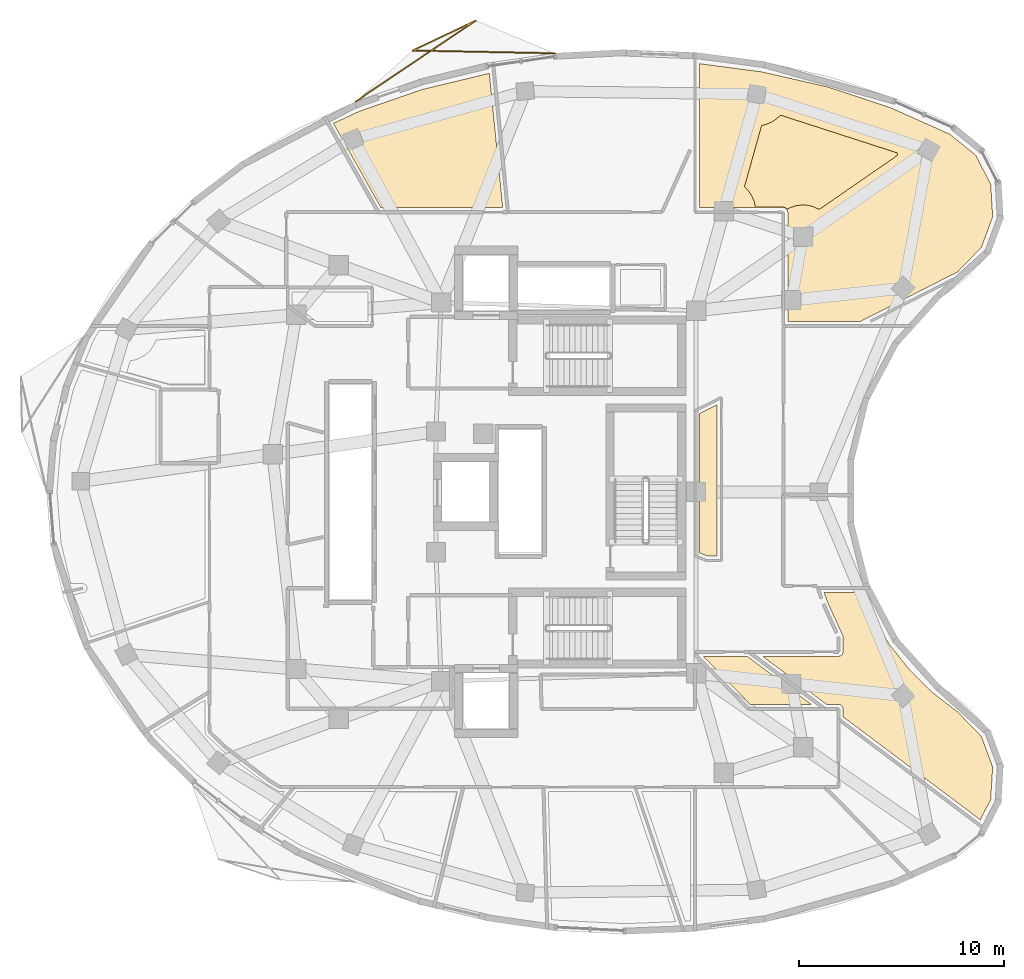
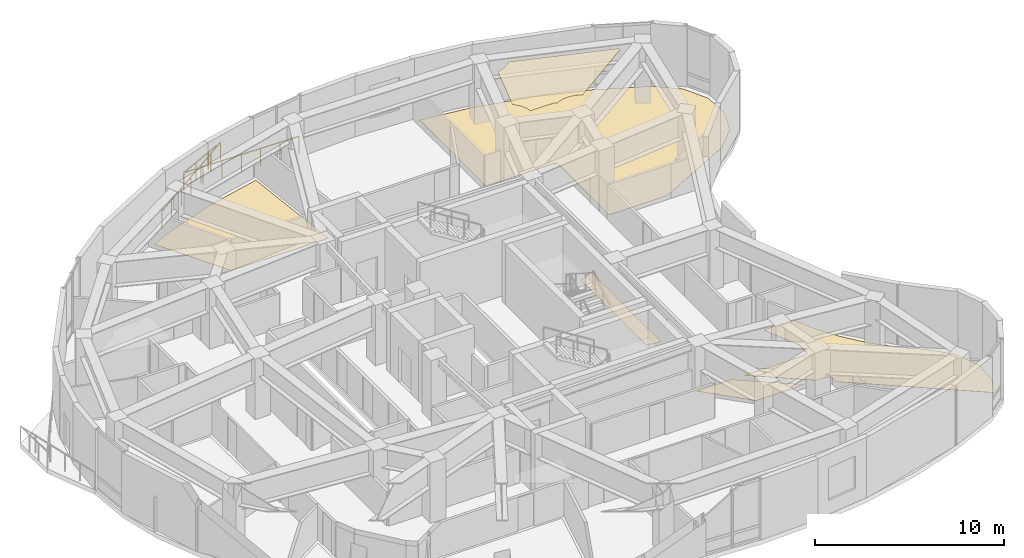
# One storey, part 13 of 13: 6 coverings, 1 railing.
"""IFC4 building model written with IfcOpenShell, lengths in metres."""

from ifc_helpers import new_model, si_unit, direction, frame, origin, origin_2d, place, context, subcontext, project, spatial, polyline, rectangle, outline, extrude, material, layer, layer_set, type_object, element, save


model = new_model("IFC4")

# Units and contexts
model_context = context("Model", 3, precision=1e-05, world=origin(), true_north=direction((0.0, 1.0)))
body_context = subcontext(model_context, "Body", "Model", "MODEL_VIEW")
ifc_project = project(units=[si_unit("LENGTHUNIT", "METRE"), si_unit("AREAUNIT", "SQUARE_METRE"), si_unit("VOLUMEUNIT", "CUBIC_METRE"), si_unit("PLANEANGLEUNIT", "RADIAN"), si_unit("MASSUNIT", "GRAM", prefix="KILO")], contexts=[model_context])

# Site, building, storey
site_placement = place(None, origin())
site = spatial("IfcSite", under=ifc_project, at=site_placement, CompositionType="ELEMENT")
building_placement = place(site_placement, origin())
building = spatial("IfcBuilding", under=site, at=building_placement, Name="Korentha Bioscience Tower", CompositionType="ELEMENT")
storey_placement = place(building_placement, frame((0.0, 0.0, 256.199951171875)))
storey = spatial("IfcBuildingStorey", under=building, at=storey_placement, Name="L59", CompositionType="ELEMENT", Elevation=256.199951171875)

# Railing
ifc_material_1 = material(Name="Laminated Tempered Safety Glass", Category="glass")
railing_type = type_object("IfcRailingType", Name="Laminated Glass Balcony Guardrail 1150", PredefinedType="BALUSTRADE", material=ifc_material_1)
railing_placement = place(storey_placement, frame((30.6611328125, 48.41748046875, 0.0)))
element("IfcRailing", 1, at=railing_placement, inside=storey, type_object=railing_type, Name="L59 Balcony Guardrail 01", PredefinedType="BALUSTRADE", context=body_context, shape_type="SweptSolid", body=[
    extrude(rectangle(XDim=0.048095703125, YDim=0.048095703125, at=origin_2d()), frame((0.0, 0.0, 1.1259765625), z_axis=(-0.999807052478, 0.019643263845, 0.0), x_axis=(-0.019643263845, -0.999807052478, 0.0)), (0.0, 0.0, 1.0), 6.960205078125),
    extrude(rectangle(XDim=0.048095703125, YDim=0.048095703125, at=origin_2d()), frame((-6.958740234375, 0.13671875, 1.1259765625), z_axis=(0.903502549322, 0.428582714733, 0.0), x_axis=(-0.428582714733, 0.903502549322, 0.0)), (0.0, 0.0, 1.0), 3.4248046875),
    extrude(rectangle(XDim=0.048095703125, YDim=0.048095703125, at=origin_2d()), frame((-3.864501953125, 1.6044921875, 1.1259765625), z_axis=(-0.829032685553, -0.559200148681, 0.0), x_axis=(0.559200148681, -0.829032685553, 0.0)), (0.0, 0.0, 1.0), 7.07373046875),
    extrude(rectangle(XDim=0.0419921875, YDim=0.0419921875, at=origin_2d()), origin(), (0.0, 0.0, 1.0), 1.101806640625),
    extrude(rectangle(XDim=0.0419921875, YDim=0.0419921875, at=origin_2d()), frame((-1.15966796875, 0.022705078125, 0.0)), (0.0, 0.0, 1.0), 1.101806640625),
    extrude(rectangle(XDim=0.0419921875, YDim=0.0419921875, at=origin_2d()), frame((-2.319580078125, 0.045654296875, 0.0)), (0.0, 0.0, 1.0), 1.101806640625),
    extrude(rectangle(XDim=0.0419921875, YDim=0.0419921875, at=origin_2d()), frame((-3.4794921875, 0.068359375, 0.0)), (0.0, 0.0, 1.0), 1.101806640625),
    extrude(rectangle(XDim=0.0419921875, YDim=0.0419921875, at=origin_2d()), frame((-4.63916015625, 0.091064453125, 0.0)), (0.0, 0.0, 1.0), 1.101806640625),
    extrude(rectangle(XDim=0.0419921875, YDim=0.0419921875, at=origin_2d()), frame((-5.798828125, 0.114013671875, 0.0)), (0.0, 0.0, 1.0), 1.101806640625),
    extrude(rectangle(XDim=0.0419921875, YDim=0.0419921875, at=origin_2d()), frame((-6.958740234375, 0.13671875, 0.0)), (0.0, 0.0, 1.0), 1.101806640625),
    extrude(rectangle(XDim=0.0419921875, YDim=0.0419921875, at=origin_2d()), frame((-5.92724609375, 0.6259765625, 0.0)), (0.0, 0.0, 1.0), 1.101806640625),
    extrude(rectangle(XDim=0.0419921875, YDim=0.0419921875, at=origin_2d()), frame((-4.89599609375, 1.115234375, 0.0)), (0.0, 0.0, 1.0), 1.101806640625),
    extrude(rectangle(XDim=0.0419921875, YDim=0.0419921875, at=origin_2d()), frame((-3.864501953125, 1.6044921875, 0.0)), (0.0, 0.0, 1.0), 1.101806640625),
    extrude(rectangle(XDim=0.0419921875, YDim=0.0419921875, at=origin_2d()), frame((-4.841796875, 0.9453125, 0.0)), (0.0, 0.0, 1.0), 1.101806640625),
    extrude(rectangle(XDim=0.0419921875, YDim=0.0419921875, at=origin_2d()), frame((-5.8193359375, 0.285888671875, 0.0)), (0.0, 0.0, 1.0), 1.101806640625),
    extrude(rectangle(XDim=0.0419921875, YDim=0.0419921875, at=origin_2d()), frame((-6.796630859375, -0.373291015625, 0.0)), (0.0, 0.0, 1.0), 1.101806640625),
    extrude(rectangle(XDim=0.0419921875, YDim=0.0419921875, at=origin_2d()), frame((-7.77392578125, -1.032470703125, 0.0)), (0.0, 0.0, 1.0), 1.101806640625),
    extrude(rectangle(XDim=0.0419921875, YDim=0.0419921875, at=origin_2d()), frame((-8.75146484375, -1.69189453125, 0.0)), (0.0, 0.0, 1.0), 1.101806640625),
    extrude(rectangle(XDim=0.0419921875, YDim=0.0419921875, at=origin_2d()), frame((-9.728759765625, -2.35107421875, 0.0)), (0.0, 0.0, 1.0), 1.101806640625),
])

# Coverings
ifc_material_2 = material(Name="Antimicrobial Mineral Fibre Board", Category="gypsum")
ifc_layer_1 = layer(ifc_material_2, 0.034912109375, Name="Antimicrobial Mineral Fibre Board")
ifc_layer_set_1 = layer_set([ifc_layer_1], Name="Antimicrobial Mineral Fibre Board (CL-MF35)")
covering_type_1 = type_object("IfcCoveringType", Name="Mineral-Fibre Cleanroom Suspended Ceiling 35", PredefinedType="CEILING", material=ifc_layer_set_1)
covering_1_placement = place(storey_placement, frame((0.0, 0.0, 3.864990234375)))
element("IfcCovering", 2, at=covering_1_placement, inside=storey, type_object=covering_type_1, Name="L59 Grant Review Seminar Room 17 Acoustic Ceiling", PredefinedType="CEILING", context=body_context, shape_type="SweptSolid", body=[
    extrude(outline(polyline([(42.006591796875, 40.8076171875), (41.91162109375, 40.884765625), (41.813232421875, 40.90966796875), (40.447021484375, 40.909912109375), (40.394287109375, 41.163818359375), (40.278076171875, 41.444580078125), (40.109375, 41.697265625), (39.911865234375, 41.896484375), (40.750732421875, 44.894775390625), (40.958740234375, 44.940673828125), (41.239501953125, 45.056884765625), (41.4921875, 45.2255859375), (41.668212890625, 45.397705078125), (47.37060546875, 43.5546875), (47.387939453125, 43.437255859375), (43.567626953125, 40.79541015625), (43.226806640625, 40.94775390625), (42.9287109375, 41.007080078125), (42.77685546875, 41.014404296875), (42.474609375, 40.984619140625), (42.18359375, 40.896484375), (42.006591796875, 40.8076171875)])), origin(), (0.0, 0.0, 1.0), 0.03515625),
])
ifc_material_3 = material(Name="Chemical-Resistant Epoxy Resin", Category="polymer")
ifc_layer_2 = layer(ifc_material_3, 0.011962890625, Name="Chemical-Resistant Epoxy Resin")
ifc_layer_set_2 = layer_set([ifc_layer_2], Name="Chemical-Resistant Epoxy Resin (FL-EPX)")
covering_type_2 = type_object("IfcCoveringType", Name="Seamless Epoxy Laboratory Flooring 12", PredefinedType="FLOORING", material=ifc_layer_set_2)
covering_2_placement = place(storey_placement, origin())
element("IfcCovering", 3, at=covering_2_placement, inside=storey, type_object=covering_type_2, Name="L59 Immunology Flow-Cytometry Laboratory 11 Floor Finish", PredefinedType="FLOORING", context=body_context, shape_type="SweptSolid", body=[
    extrude(outline(polyline([(40.05029296875, 18.969970703125), (43.1669921875, 16.6298828125), (40.19091796875, 16.6298828125), (37.8994140625, 18.969970703125), (40.05029296875, 18.969970703125)])), origin(), (0.0, 0.0, 1.0), 0.011962890625),
])
covering_3_placement = place(storey_placement, origin())
element("IfcCovering", 4, at=covering_3_placement, inside=storey, type_object=covering_type_2, Name="L59 Lyophilization Freeze-Drying Room 13 Floor Finish", PredefinedType="FLOORING", context=body_context, shape_type="SweptSolid", body=[
    extrude(outline(polyline([(40.7998046875, 18.969970703125), (44.5, 18.969970703125), (44.61865234375, 19.0029296875), (44.697021484375, 19.081298828125), (44.7275390625, 19.166748046875), (44.723876953125, 19.962890625), (43.974609375, 21.600830078125), (43.806396484375, 22.077880859375), (45.625244140625, 22.077880859375), (46.17529296875, 20.877197265625), (46.979736328125, 19.563720703125), (47.96923828125, 18.313720703125), (49.105224609375, 17.193603515625), (50.3232421875, 16.255615234375), (51.48046875, 15.062255859375), (52.03369140625, 13.569091796875), (51.93798828125, 11.9794921875), (51.4287109375, 10.98974609375), (44.734619140625, 16.015625), (44.727294921875, 16.43408203125), (44.697509765625, 16.517822265625), (44.637451171875, 16.58447265625), (44.51171875, 16.629638671875), (43.91650390625, 16.6298828125), (40.7998046875, 18.969970703125)])), origin(), (0.0, 0.0, 1.0), 0.011962890625),
])
covering_4_placement = place(storey_placement, origin())
element("IfcCovering", 5, at=covering_4_placement, inside=storey, type_object=covering_type_2, Name="L59 Epidemiology Modelling Studio 15 Floor Finish", PredefinedType="FLOORING", context=body_context, shape_type="SweptSolid", body=[
    extrude(outline(polyline([(37.721923828125, 30.825439453125), (38.570068359375, 31.257568359375), (38.570068359375, 23.8720703125), (38.1015625, 23.8720703125), (37.72216796875, 24.0244140625), (37.721923828125, 30.825439453125)])), origin(), (0.0, 0.0, 1.0), 0.011962890625),
])
covering_5_placement = place(storey_placement, origin())
element("IfcCovering", 6, at=covering_5_placement, inside=storey, type_object=covering_type_2, Name="L59 Grant Review Seminar Room 17 Floor Finish", PredefinedType="FLOORING", context=body_context, shape_type="SweptSolid", body=[
    extrude(outline(polyline([(37.721923828125, 47.912109375), (40.76708984375, 47.509521484375), (43.994140625, 46.771240234375), (47.078857421875, 45.74560546875), (49.93994140625, 44.464111328125), (51.209228515625, 43.4365234375), (51.93798828125, 42.0205078125), (52.03369140625, 40.43115234375), (51.48046875, 38.93798828125), (50.323974609375, 37.744873046875), (45.580810546875, 35.327880859375), (42.030029296875, 35.327880859375), (42.030029296875, 40.64990234375), (41.984375, 40.787353515625), (41.898681640625, 40.857666015625), (41.800048828125, 40.8798828125), (37.721923828125, 40.8798828125), (37.721923828125, 47.912109375)])), origin(), (0.0, 0.0, 1.0), 0.011962890625),
])
covering_6_placement = place(storey_placement, origin())
element("IfcCovering", 7, at=covering_6_placement, inside=storey, type_object=covering_type_2, Name="L59 Reference Archive Vault 19 Floor Finish", PredefinedType="FLOORING", context=body_context, shape_type="SweptSolid", body=[
    extrude(outline(polyline([(19.839111328125, 44.9970703125), (21.123779296875, 45.593017578125), (24.186767578125, 46.65478515625), (27.455810546875, 47.439208984375), (28.110595703125, 40.8798828125), (22.158935546875, 40.8798828125), (19.839111328125, 44.9970703125)])), origin(), (0.0, 0.0, 1.0), 0.011962890625),
])

save(model, "model.ifc")
